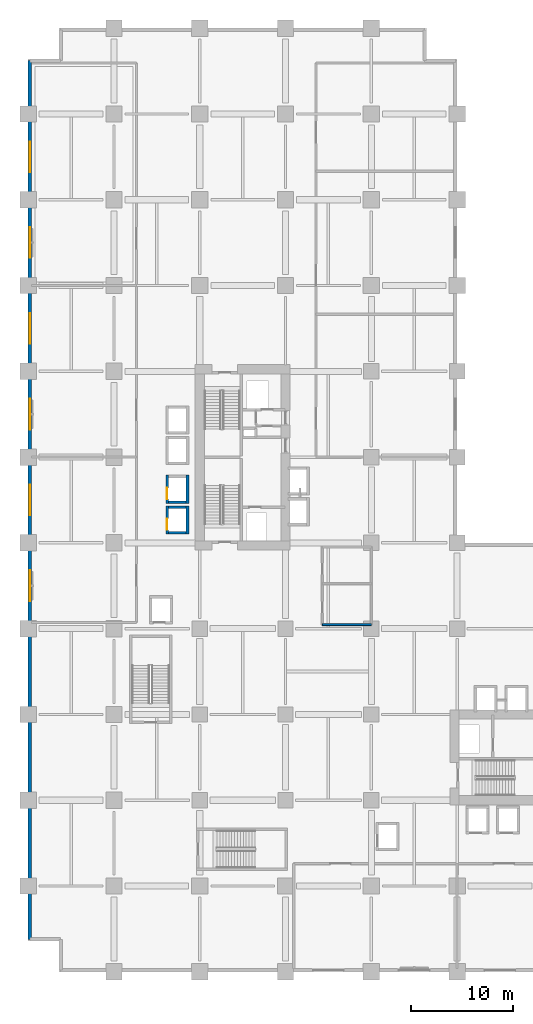
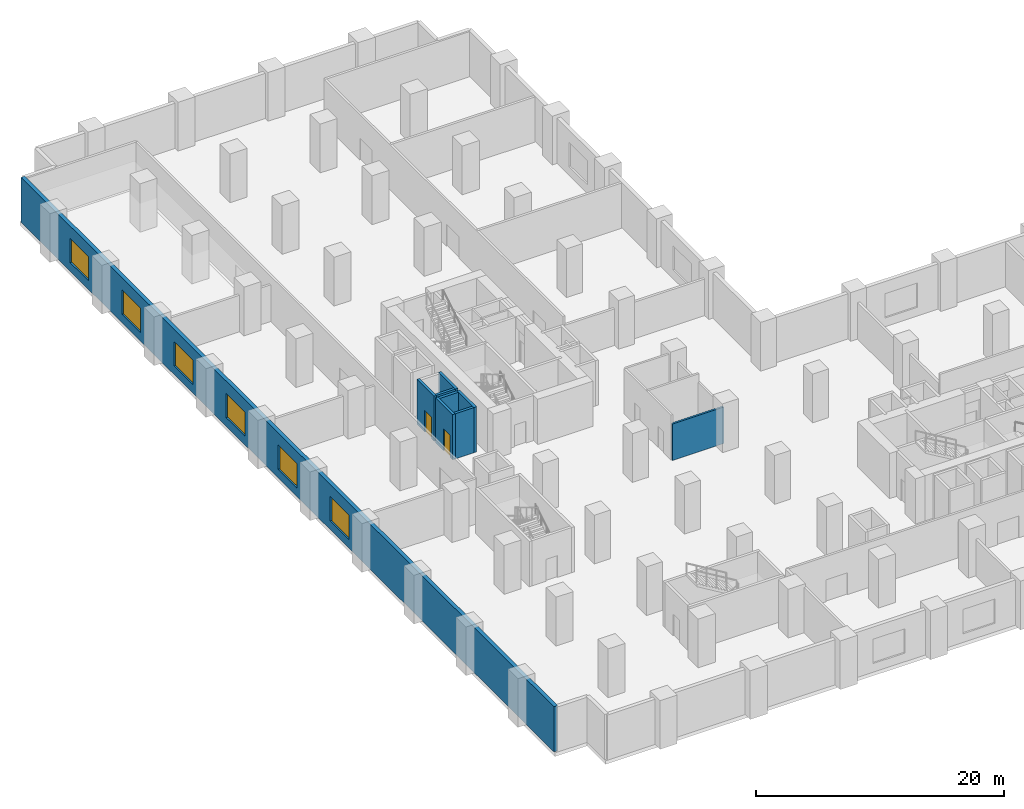
# One storey, part 12 of 22: 9 walls, 6 windows, 2 doors, 8 openings.
"""IFC4 building model written with IfcOpenShell, lengths in metres."""

from ifc_helpers import new_model, si_unit, direction, frame, frame_2d, origin, place, context, subcontext, project, spatial, rectangle, extrude, material, layer, layer_set, type_object, element, fill, save


model = new_model("IFC4")

# Units and contexts
model_context = context("Model", 3, precision=1e-05, world=origin(), true_north=direction((0.0, 1.0)))
body_context = subcontext(model_context, "Body", "Model", "MODEL_VIEW")
ifc_project = project(units=[si_unit("LENGTHUNIT", "METRE"), si_unit("AREAUNIT", "SQUARE_METRE"), si_unit("VOLUMEUNIT", "CUBIC_METRE"), si_unit("PLANEANGLEUNIT", "RADIAN"), si_unit("MASSUNIT", "GRAM", prefix="KILO")], contexts=[model_context])

# Site, building, storey
site_placement = place(None, origin())
site = spatial("IfcSite", under=ifc_project, at=site_placement, CompositionType="ELEMENT")
building_placement = place(site_placement, origin())
building = spatial("IfcBuilding", under=site, at=building_placement, Name="Koriwani Terraces Tower", CompositionType="ELEMENT")
storey_placement = place(building_placement, frame((0.0, 0.0, 6.0)))
storey = spatial("IfcBuildingStorey", under=building, at=storey_placement, Name="L01", CompositionType="ELEMENT", Elevation=6.0)

# Wall, openings, windows
ifc_material_1 = material(Name="Concrete C50/60", Category="concrete")
ifc_layer_1 = layer(ifc_material_1, 0.35009765625, Name="Concrete C50/60")
ifc_layer_set_1 = layer_set([ifc_layer_1], Name="Concrete C50/60")
wall_type_1 = type_object("IfcWallType", Name="WALL_EXT_BRUTALIST_350", PredefinedType="STANDARD", material=ifc_layer_set_1)
wall_1_placement = place(storey_placement, frame((0.175048828125, 3.175048828125, 0.0), z_axis=(0.0, 0.0, 1.0), x_axis=(0.0, 1.0, 0.0)))
wall_1 = element("IfcWall", 1, at=wall_1_placement, inside=storey, type_object=wall_type_1, Name="L01 Fair-Faced Brutalist Exterior Wall (W)", PredefinedType="STANDARD", context=body_context, shape_type="SweptSolid", body=[
    extrude(rectangle(XDim=86.050048828125, YDim=0.35009765625, at=frame_2d((43.02490234375, 0.0))), origin(), (0.0, 0.0, 1.0), 4.449951171875),
])
opening_1_placement = place(wall_1_placement, frame((33.125, 0.0, 0.85009765625)))
opening_1 = element("IfcOpeningElement", 2, at=opening_1_placement, cuts=wall_1, Name="Opening W-06", PredefinedType="OPENING", context=body_context, shape_type="SweptSolid", body=[
    extrude(rectangle(XDim=3.0, YDim=2.39990234375, at=frame_2d((1.5, 1.199951171875))), frame((0.0, 0.18505859375, 0.0), z_axis=(0.0, -1.0, 0.0), x_axis=(1.0, 0.0, 0.0)), (0.0, 0.0, 1.0), 0.3701171875),
])
opening_2_placement = place(wall_1_placement, frame((41.52490234375, 0.0, 0.85009765625)))
opening_2 = element("IfcOpeningElement", 3, at=opening_2_placement, cuts=wall_1, Name="Opening W-06", PredefinedType="OPENING", context=body_context, shape_type="SweptSolid", body=[
    extrude(rectangle(XDim=3.0, YDim=2.39990234375, at=frame_2d((1.5, 1.199951171875))), frame((0.0, 0.18505859375, 0.0), z_axis=(0.0, -1.0, 0.0), x_axis=(1.0, 0.0, 0.0)), (0.0, 0.0, 1.0), 0.3701171875),
])
opening_3_placement = place(wall_1_placement, frame((49.925048828125, 0.0, 0.85009765625)))
opening_3 = element("IfcOpeningElement", 4, at=opening_3_placement, cuts=wall_1, Name="Opening W-06", PredefinedType="OPENING", context=body_context, shape_type="SweptSolid", body=[
    extrude(rectangle(XDim=3.0, YDim=2.39990234375, at=frame_2d((1.5, 1.199951171875))), frame((0.0, 0.18505859375, 0.0), z_axis=(0.0, -1.0, 0.0), x_axis=(1.0, 0.0, 0.0)), (0.0, 0.0, 1.0), 0.3701171875),
])
opening_4_placement = place(wall_1_placement, frame((58.324951171875, 0.0, 0.85009765625)))
opening_4 = element("IfcOpeningElement", 5, at=opening_4_placement, cuts=wall_1, Name="Opening W-06", PredefinedType="OPENING", context=body_context, shape_type="SweptSolid", body=[
    extrude(rectangle(XDim=3.0, YDim=2.39990234375, at=frame_2d((1.5, 1.199951171875))), frame((0.0, 0.18505859375, 0.0), z_axis=(0.0, -1.0, 0.0), x_axis=(1.0, 0.0, 0.0)), (0.0, 0.0, 1.0), 0.3701171875),
])
opening_5_placement = place(wall_1_placement, frame((66.72509765625, 0.0, 0.85009765625)))
opening_5 = element("IfcOpeningElement", 6, at=opening_5_placement, cuts=wall_1, Name="Opening W-06", PredefinedType="OPENING", context=body_context, shape_type="SweptSolid", body=[
    extrude(rectangle(XDim=3.0, YDim=2.39990234375, at=frame_2d((1.5, 1.199951171875))), frame((0.0, 0.18505859375, 0.0), z_axis=(0.0, -1.0, 0.0), x_axis=(1.0, 0.0, 0.0)), (0.0, 0.0, 1.0), 0.3701171875),
])
opening_6_placement = place(wall_1_placement, frame((75.125, 0.0, 0.85009765625)))
opening_6 = element("IfcOpeningElement", 7, at=opening_6_placement, cuts=wall_1, Name="Opening W-06", PredefinedType="OPENING", context=body_context, shape_type="SweptSolid", body=[
    extrude(rectangle(XDim=3.0, YDim=2.39990234375, at=frame_2d((1.5, 1.199951171875))), frame((0.0, 0.18505859375, 0.0), z_axis=(0.0, -1.0, 0.0), x_axis=(1.0, 0.0, 0.0)), (0.0, 0.0, 1.0), 0.3701171875),
])
ifc_material_2 = material(Name="Tempered Laminated Low-E Glass", Category="glass")
window_type = type_object("IfcWindowType", Name="WIN_PODIUM_PUNCHED_3000X2400", PartitioningType="TRIPLE_PANEL_VERTICAL", PredefinedType="WINDOW", material=ifc_material_2)
window_1_placement = place(opening_1_placement, origin())
window_1 = element("IfcWindow", 8, at=window_1_placement, inside=storey, type_object=window_type, Name="L01 Exterior Window (W-12)", OverallHeight=2.39990234375, OverallWidth=3.0, PartitioningType="SINGLE_PANEL", PredefinedType="WINDOW", context=body_context, shape_type="SweptSolid", body=[
    extrude(rectangle(XDim=3.0, YDim=2.39990234375, at=frame_2d((1.5, 1.199951171875))), frame((0.0, 0.030029296875, 0.0), z_axis=(0.0, -1.0, 0.0), x_axis=(1.0, 0.0, 0.0)), (0.0, 0.0, 1.0), 0.06005859375),
])
fill(opening_1, window_1)
window_2_placement = place(opening_2_placement, origin())
window_2 = element("IfcWindow", 9, at=window_2_placement, inside=storey, type_object=window_type, Name="L01 Exterior Window (W-15)", OverallHeight=2.39990234375, OverallWidth=3.0, PartitioningType="SINGLE_PANEL", PredefinedType="WINDOW", context=body_context, shape_type="SweptSolid", body=[
    extrude(rectangle(XDim=3.0, YDim=2.39990234375, at=frame_2d((1.5, 1.199951171875))), frame((0.0, 0.030029296875, 0.0), z_axis=(0.0, -1.0, 0.0), x_axis=(1.0, 0.0, 0.0)), (0.0, 0.0, 1.0), 0.06005859375),
])
fill(opening_2, window_2)
window_3_placement = place(opening_3_placement, origin())
window_3 = element("IfcWindow", 10, at=window_3_placement, inside=storey, type_object=window_type, Name="L01 Exterior Window (W-18)", OverallHeight=2.39990234375, OverallWidth=3.0, PartitioningType="SINGLE_PANEL", PredefinedType="WINDOW", context=body_context, shape_type="SweptSolid", body=[
    extrude(rectangle(XDim=3.0, YDim=2.39990234375, at=frame_2d((1.5, 1.199951171875))), frame((0.0, 0.030029296875, 0.0), z_axis=(0.0, -1.0, 0.0), x_axis=(1.0, 0.0, 0.0)), (0.0, 0.0, 1.0), 0.06005859375),
])
fill(opening_3, window_3)
window_4_placement = place(opening_4_placement, origin())
window_4 = element("IfcWindow", 11, at=window_4_placement, inside=storey, type_object=window_type, Name="L01 Exterior Window (W-21)", OverallHeight=2.39990234375, OverallWidth=3.0, PartitioningType="SINGLE_PANEL", PredefinedType="WINDOW", context=body_context, shape_type="SweptSolid", body=[
    extrude(rectangle(XDim=3.0, YDim=2.39990234375, at=frame_2d((1.5, 1.199951171875))), frame((0.0, 0.030029296875, 0.0), z_axis=(0.0, -1.0, 0.0), x_axis=(1.0, 0.0, 0.0)), (0.0, 0.0, 1.0), 0.06005859375),
])
fill(opening_4, window_4)
window_5_placement = place(opening_5_placement, origin())
window_5 = element("IfcWindow", 12, at=window_5_placement, inside=storey, type_object=window_type, Name="L01 Exterior Window (W-24)", OverallHeight=2.39990234375, OverallWidth=3.0, PartitioningType="SINGLE_PANEL", PredefinedType="WINDOW", context=body_context, shape_type="SweptSolid", body=[
    extrude(rectangle(XDim=3.0, YDim=2.39990234375, at=frame_2d((1.5, 1.199951171875))), frame((0.0, 0.030029296875, 0.0), z_axis=(0.0, -1.0, 0.0), x_axis=(1.0, 0.0, 0.0)), (0.0, 0.0, 1.0), 0.06005859375),
])
fill(opening_5, window_5)
window_6_placement = place(opening_6_placement, origin())
window_6 = element("IfcWindow", 13, at=window_6_placement, inside=storey, type_object=window_type, Name="L01 Exterior Window (W-27)", OverallHeight=2.39990234375, OverallWidth=3.0, PartitioningType="SINGLE_PANEL", PredefinedType="WINDOW", context=body_context, shape_type="SweptSolid", body=[
    extrude(rectangle(XDim=3.0, YDim=2.39990234375, at=frame_2d((1.5, 1.199951171875))), frame((0.0, 0.030029296875, 0.0), z_axis=(0.0, -1.0, 0.0), x_axis=(1.0, 0.0, 0.0)), (0.0, 0.0, 1.0), 0.06005859375),
])
fill(opening_6, window_6)

# Wall
ifc_material_3 = material(Name="Fire-Rated Acoustic Gypsum Partition", Category="masonry")
ifc_layer_2 = layer(ifc_material_3, 0.179931640625, Name="Fire-Rated Acoustic Gypsum Partition")
ifc_layer_set_2 = layer_set([ifc_layer_2], Name="Fire-Rated Acoustic Gypsum Partition")
wall_type_2 = type_object("IfcWallType", Name="WALL_PLUMBING_180", PredefinedType="PLUMBINGWALL", material=ifc_layer_set_2)
wall_2_placement = place(storey_placement, frame((28.800048828125, 34.0, 0.0), z_axis=(0.0, 0.0, 1.0), x_axis=(1.0, 0.0, 0.0)))
element("IfcWall", 14, at=wall_2_placement, inside=storey, type_object=wall_type_2, Name="L01 Interior Wall WPOD-WCS-L01", PredefinedType="PLUMBINGWALL", context=body_context, shape_type="SweptSolid", body=[
    extrude(rectangle(XDim=4.800048828125, YDim=0.179931640625, at=frame_2d((2.39990234375, 0.0))), origin(), (0.0, 0.0, 1.0), 3.60009765625),
])

# Wall, opening, door
ifc_material_4 = material(Name="Concrete C40/50", Category="concrete")
ifc_layer_3 = layer(ifc_material_4, 0.25, Name="Concrete C40/50")
ifc_layer_set_3 = layer_set([ifc_layer_3], Name="Concrete C40/50")
wall_type_3 = type_object("IfcWallType", Name="WALL_SHAFT_RATED_250", PredefinedType="SOLIDWALL", material=ifc_layer_set_3)
wall_3_placement = place(storey_placement, frame((13.60009765625, 42.875, 0.0), z_axis=(0.0, 0.0, 1.0), x_axis=(0.0, 1.0, 0.0)))
wall_3 = element("IfcWall", 15, at=wall_3_placement, inside=storey, type_object=wall_type_3, Name="L01 Interior Wall WIN-LF-PE-L1-L01-F", PredefinedType="SOLIDWALL", context=body_context, shape_type="SweptSolid", body=[
    extrude(rectangle(XDim=2.75, YDim=0.25, at=frame_2d((1.375, 0.0))), origin(), (0.0, 0.0, 1.0), 4.449951171875),
])
opening_7_placement = place(wall_3_placement, frame((0.39990234375, 0.0, 0.0)))
opening_7 = element("IfcOpeningElement", 16, at=opening_7_placement, cuts=wall_3, Name="Opening LD-01", PredefinedType="OPENING", context=body_context, shape_type="SweptSolid", body=[
    extrude(rectangle(XDim=1.10009765625, YDim=2.14990234375, at=frame_2d((0.550048828125, 1.074951171875))), frame((0.0, 0.135009765625, 0.0), z_axis=(0.0, -1.0, 0.0), x_axis=(1.0, 0.0, 0.0)), (0.0, 0.0, 1.0), 0.27001953125),
])
ifc_material_5 = material(Name="Steel ASTM A572 Grade 50", Category="steel")
door_type = type_object("IfcDoorType", Name="DOOR_LIFT_LANDING_1100X2200", OperationType="NOTDEFINED", PredefinedType="DOOR", material=ifc_material_5)
door_1_placement = place(opening_7_placement, origin())
door_1 = element("IfcDoor", 17, at=door_1_placement, inside=storey, type_object=door_type, Name="L01 Passenger Lift PE-L1 Landing Door", OperationType="SLIDING_TO_LEFT", OverallHeight=2.14990234375, OverallWidth=1.10009765625, PredefinedType="DOOR", context=body_context, shape_type="SweptSolid", body=[
    extrude(rectangle(XDim=1.10009765625, YDim=2.14990234375, at=frame_2d((0.550048828125, 1.074951171875))), frame((0.0, 0.02490234375, 0.0), z_axis=(0.0, -1.0, 0.0), x_axis=(1.0, 0.0, 0.0)), (0.0, 0.0, 1.0), 0.050048828125),
])
fill(opening_7, door_1)

# Walls
wall_4_placement = place(storey_placement, frame((15.60009765625, 42.875, 0.0), z_axis=(0.0, 0.0, 1.0), x_axis=(0.0, 1.0, 0.0)))
element("IfcWall", 18, at=wall_4_placement, inside=storey, type_object=wall_type_3, Name="L01 Interior Wall WIN-LF-PE-L1-L01-B", PredefinedType="SOLIDWALL", context=body_context, shape_type="SweptSolid", body=[
    extrude(rectangle(XDim=2.75, YDim=0.25, at=frame_2d((1.375, 0.0))), origin(), (0.0, 0.0, 1.0), 4.449951171875),
])
for number, where, z_axis, x_axis, name in (
    (19, (13.72509765625, 43.0, 0.0), (0.0, 0.0, 1.0), (1.0, 0.0, 0.0), "L01 Interior Wall WIN-LF-PE-L1-L01-S"),
    (20, (13.72509765625, 45.5, 0.0), (0.0, 0.0, 1.0), (1.0, 0.0, 0.0), "L01 Interior Wall WIN-LF-PE-L1-L01-N"),
):
    element("IfcWall", number, at=place(storey_placement, frame(where, z_axis=z_axis, x_axis=x_axis)), inside=storey, type_object=wall_type_3, Name=name, PredefinedType="SOLIDWALL", context=body_context, shape_type="SweptSolid", body=[
        extrude(rectangle(XDim=1.75, YDim=0.25, at=frame_2d((0.875, 0.0))), origin(), (0.0, 0.0, 1.0), 4.449951171875),
    ])

# Wall, opening, door
wall_5_placement = place(storey_placement, frame((13.60009765625, 45.875, 0.0), z_axis=(0.0, 0.0, 1.0), x_axis=(0.0, 1.0, 0.0)))
wall_5 = element("IfcWall", 21, at=wall_5_placement, inside=storey, type_object=wall_type_3, Name="L01 Interior Wall WIN-LF-PE-L2-L01-F", PredefinedType="SOLIDWALL", context=body_context, shape_type="SweptSolid", body=[
    extrude(rectangle(XDim=2.75, YDim=0.25, at=frame_2d((1.375, 0.0))), origin(), (0.0, 0.0, 1.0), 4.449951171875),
])
opening_8_placement = place(wall_5_placement, frame((0.39990234375, 0.0, 0.0)))
opening_8 = element("IfcOpeningElement", 22, at=opening_8_placement, cuts=wall_5, Name="Opening LD-01", PredefinedType="OPENING", context=body_context, shape_type="SweptSolid", body=[
    extrude(rectangle(XDim=1.10009765625, YDim=2.14990234375, at=frame_2d((0.550048828125, 1.074951171875))), frame((0.0, 0.135009765625, 0.0), z_axis=(0.0, -1.0, 0.0), x_axis=(1.0, 0.0, 0.0)), (0.0, 0.0, 1.0), 0.27001953125),
])
door_2_placement = place(opening_8_placement, origin())
door_2 = element("IfcDoor", 23, at=door_2_placement, inside=storey, type_object=door_type, Name="L01 Passenger Lift PE-L2 Landing Door", OperationType="SLIDING_TO_LEFT", OverallHeight=2.14990234375, OverallWidth=1.10009765625, PredefinedType="DOOR", context=body_context, shape_type="SweptSolid", body=[
    extrude(rectangle(XDim=1.10009765625, YDim=2.14990234375, at=frame_2d((0.550048828125, 1.074951171875))), frame((0.0, 0.02490234375, 0.0), z_axis=(0.0, -1.0, 0.0), x_axis=(1.0, 0.0, 0.0)), (0.0, 0.0, 1.0), 0.050048828125),
])
fill(opening_8, door_2)

# Walls
wall_6_placement = place(storey_placement, frame((15.60009765625, 45.875, 0.0), z_axis=(0.0, 0.0, 1.0), x_axis=(0.0, 1.0, 0.0)))
element("IfcWall", 24, at=wall_6_placement, inside=storey, type_object=wall_type_3, Name="L01 Interior Wall WIN-LF-PE-L2-L01-B", PredefinedType="SOLIDWALL", context=body_context, shape_type="SweptSolid", body=[
    extrude(rectangle(XDim=2.75, YDim=0.25, at=frame_2d((1.375, 0.0))), origin(), (0.0, 0.0, 1.0), 4.449951171875),
])
wall_7_placement = place(storey_placement, frame((13.72509765625, 46.0, 0.0), z_axis=(0.0, 0.0, 1.0), x_axis=(1.0, 0.0, 0.0)))
element("IfcWall", 25, at=wall_7_placement, inside=storey, type_object=wall_type_3, Name="L01 Interior Wall WIN-LF-PE-L2-L01-S", PredefinedType="SOLIDWALL", context=body_context, shape_type="SweptSolid", body=[
    extrude(rectangle(XDim=1.75, YDim=0.25, at=frame_2d((0.875, 0.0))), origin(), (0.0, 0.0, 1.0), 4.449951171875),
])

save(model, "model.ifc")
